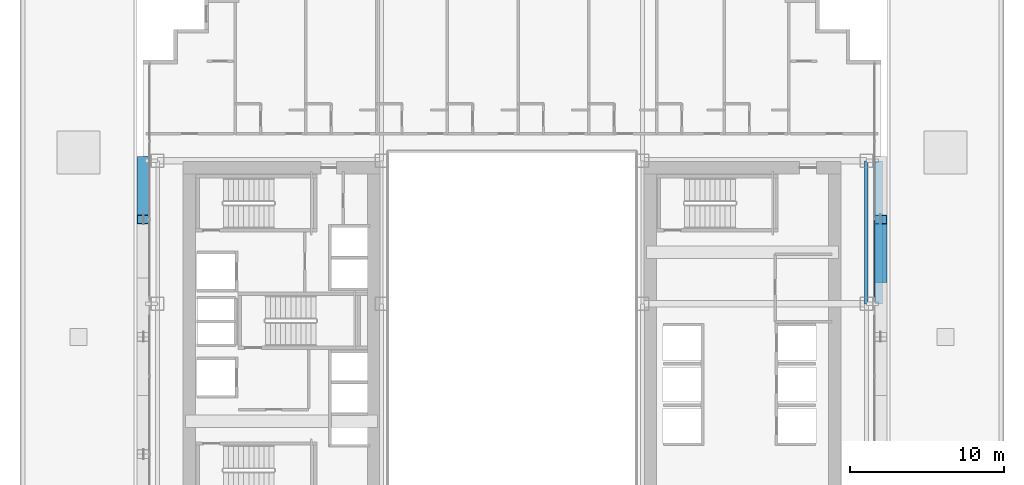
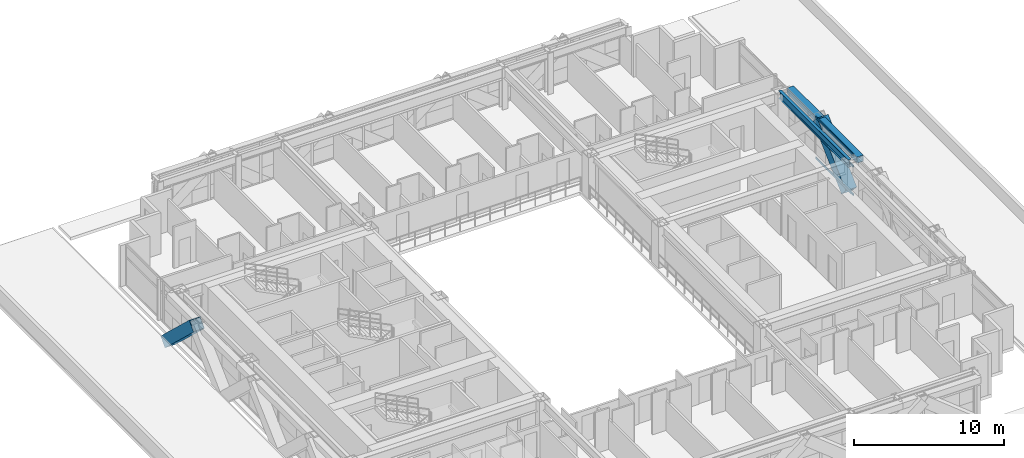
# One storey, part 14 of 35: 5 members, 2 beams, 1 element without a shape of its own.
"""IFC4 building model written with IfcOpenShell, lengths in metres."""

from ifc_helpers import new_model, si_unit, direction, frame, origin, origin_2d, place, context, subcontext, project, spatial, hollow_rectangle, i_section, extrude, source, transform, mapped, material, layer, layer_set, material_profile, profile_set, type_object, element, aggregate, save


model = new_model("IFC4")

# Units and contexts
model_context = context("Model", 3, precision=1e-05, world=origin(), true_north=direction((0.0, 1.0)))
body_context = subcontext(model_context, "Body", "Model", "MODEL_VIEW")
ifc_project = project(units=[si_unit("LENGTHUNIT", "METRE"), si_unit("AREAUNIT", "SQUARE_METRE"), si_unit("VOLUMEUNIT", "CUBIC_METRE"), si_unit("PLANEANGLEUNIT", "RADIAN"), si_unit("MASSUNIT", "GRAM", prefix="KILO")], contexts=[model_context])

# Site, building, storey
site_placement = place(None, origin())
site = spatial("IfcSite", under=ifc_project, at=site_placement, CompositionType="ELEMENT")
building_placement = place(site_placement, origin())
building = spatial("IfcBuilding", under=site, at=building_placement, Name="Ocotamira Hotel", CompositionType="ELEMENT")
storey_placement = place(building_placement, frame((0.0, 0.0, 34.800048828125)))
storey = spatial("IfcBuildingStorey", under=building, at=storey_placement, Name="L07", CompositionType="ELEMENT", Elevation=34.800048828125)

# Beams
ifc_material_1 = material(Name="Steel ASTM A992 Grade 50", Category="steel")
ifc_material_profile_1 = material_profile(ifc_material_1, i_section(OverallWidth=0.22998046875, OverallDepth=0.616943359375, WebThickness=0.01318359375, FlangeThickness=0.022216796875, FilletRadius=0.012939453125, at=origin_2d()), Name="W24X94")
ifc_profile_set_1 = profile_set([ifc_material_profile_1], Name="Steel ASTM A992 Grade 50")
beam_type_1 = type_object("IfcBeamType", Name="BM-PRIM-W24X94", PredefinedType="BEAM", material=ifc_profile_set_1)
shared_shape_1 = source(origin(), body_context, "Body", "SweptSolid", [
    extrude(i_section(OverallWidth=0.22998046875, OverallDepth=0.616943359375, WebThickness=0.01318359375, FlangeThickness=0.022216796875, FilletRadius=0.012939453125, at=origin_2d()), origin(), (0.0, 0.0, 1.0), 9.300048828125),
])
beam_1_placement = place(storey_placement, frame((55.050048828125, 28.14990234375, 3.04150390625), z_axis=(0.0, 1.0, 0.0), x_axis=(-1.0, 0.0, 0.0)))
element("IfcBeam", 1, at=beam_1_placement, inside=storey, type_object=beam_type_1, Name="L07 Beam X55.05 Y28.15-37.45", PredefinedType="BEAM", context=body_context, shape_type="MappedRepresentation", body=[
    mapped(shared_shape_1, transform((0.0, 0.0, 0.0), scale=1.0)),
])
ifc_material_2 = material(Name="Steel ASTM A500 Grade C", Category="steel")
ifc_material_profile_2 = material_profile(ifc_material_2, hollow_rectangle(XDim=0.5, YDim=0.5, WallThickness=0.02001953125, at=origin_2d()), Name="HSS500X500X20")
ifc_profile_set_2 = profile_set([ifc_material_profile_2], Name="Steel ASTM A500 Grade C")
beam_type_2 = type_object("IfcBeamType", Name="BM-SPAN-HSS500", PredefinedType="USERDEFINED", material=ifc_profile_set_2)
shared_shape_2 = source(origin(), body_context, "Body", "SweptSolid", [
    extrude(hollow_rectangle(XDim=0.5, YDim=0.5, WallThickness=0.02001953125, at=origin_2d()), origin(), (0.0, 0.0, 1.0), 9.300048828125),
])
beam_2_placement = place(storey_placement, frame((55.85009765625, 28.14990234375, 3.099853515625), z_axis=(0.0, 1.0, 0.0), x_axis=(-1.0, 0.0, 0.0)))
element("IfcBeam", 2, at=beam_2_placement, inside=storey, type_object=beam_type_2, Name="L07 Edge Spandrel E Y28.15-37.45", ObjectType="SPANDREL", PredefinedType="USERDEFINED", context=body_context, shape_type="MappedRepresentation", body=[
    mapped(shared_shape_2, transform((0.0, 0.0, 0.0), scale=1.0)),
])

# Members
ifc_material_3 = material(Name="Pale-metal coated steel ASTM A913 Grade 65", Category="steel")
ifc_material_profile_3 = material_profile(ifc_material_3, hollow_rectangle(XDim=0.85009765625, YDim=0.85009765625, WallThickness=0.035888671875, at=origin_2d()), Name="BOX850X850X36")
ifc_profile_set_3 = profile_set([ifc_material_profile_3], Name="Pale-metal coated steel ASTM A913 Grade 65")
member_type_1 = type_object("IfcMemberType", Name="MEM-EXO-BOX850", PredefinedType="BRACE", material=ifc_profile_set_3)
shared_shape_3 = source(origin(), body_context, "Body", "SweptSolid", [
    extrude(hollow_rectangle(XDim=0.85009765625, YDim=0.85009765625, WallThickness=0.035888671875, at=origin_2d()), origin(), (0.0, 0.0, 1.0), 5.24658203125),
])
for number, where, z_axis, x_axis, name in (
    (3, (8.030029296875, 37.449951171875, -0.5), (0.0, -0.72746596067, 0.686143772154), (1.0, 0.0, 0.0), "L07 Exoskeleton Diagrid W2.2"),
    (4, (55.969970703125, 29.816650390625, -0.5), (0.0, 0.72746596067, 0.686143772154), (-1.0, 0.0, 0.0), "L07 Exoskeleton Diagrid E2.1"),
):
    element("IfcMember", number, at=place(storey_placement, frame(where, z_axis=z_axis, x_axis=x_axis)), inside=storey, type_object=member_type_1, Name=name, PredefinedType="BRACE", context=body_context, shape_type="MappedRepresentation", body=[
        mapped(shared_shape_3, transform((0.0, 0.0, 0.0), scale=1.0)),
    ])

# Curtain wall, members
ifc_material_4 = material(Name="Anodised pale-metal aluminium and solar glass", Category="aluminium")
ifc_layer = layer(ifc_material_4, 0.179931640625)
ifc_layer_set = layer_set([ifc_layer], Name="Anodised pale-metal aluminium and solar glass")
curtain_wall_type = type_object("IfcCurtainWallType", Name="CW-SYS2-Z1", PredefinedType="NOTDEFINED", material=ifc_layer_set)
curtain_wall_placement = place(storey_placement, origin())
curtain_wall = element("IfcCurtainWall", 5, at=curtain_wall_placement, inside=storey, type_object=curtain_wall_type, Name="L07 Curtain Wall CW-2 CW-L07-E", PredefinedType="NOTDEFINED")
ifc_material_5 = material(Name="Anodised pale-metal aluminium 6063-T6", Category="aluminium")
ifc_material_profile_4 = material_profile(ifc_material_5, hollow_rectangle(XDim=0.074951171875, YDim=0.14990234375, WallThickness=0.006103515625, at=origin_2d()), Name="HSS150X75X6")
ifc_profile_set_4 = profile_set([ifc_material_profile_4], Name="Anodised pale-metal aluminium 6063-T6")
member_type_2 = type_object("IfcMemberType", Name="CWT-150X75", PredefinedType="USERDEFINED", material=ifc_profile_set_4)
shared_shape_4 = source(origin(), body_context, "Body", "SweptSolid", [
    extrude(hollow_rectangle(XDim=0.074951171875, YDim=0.14990234375, WallThickness=0.006103515625, at=origin_2d()), origin(), (0.0, 0.0, 1.0), 5.005859375),
])
member_1_placement = place(storey_placement, frame((55.580078125, 28.582763671875, 0.037353515625), z_axis=(0.0, 1.0, 0.0), x_axis=(-1.0, 0.0, 0.0)))
member_1 = element("IfcMember", 6, at=member_1_placement, type_object=member_type_2, Name="CW-2 transom 5.1", ObjectType="TRANSOM", PredefinedType="USERDEFINED", context=body_context, shape_type="MappedRepresentation", body=[
    mapped(shared_shape_4, transform((0.0, 0.0, 0.0), scale=1.0)),
])
member_2_placement = place(storey_placement, frame((55.580078125, 28.582763671875, 2.349853515625), z_axis=(0.0, 1.0, 0.0), x_axis=(-1.0, 0.0, 0.0)))
member_2 = element("IfcMember", 7, at=member_2_placement, type_object=member_type_2, Name="CW-2 transom 5.2", ObjectType="TRANSOM", PredefinedType="USERDEFINED", context=body_context, shape_type="MappedRepresentation", body=[
    mapped(shared_shape_4, transform((0.0, 0.0, 0.0), scale=1.0)),
])
member_3_placement = place(storey_placement, frame((55.580078125, 28.582763671875, 3.3125), z_axis=(0.0, 1.0, 0.0), x_axis=(-1.0, 0.0, 0.0)))
member_3 = element("IfcMember", 8, at=member_3_placement, type_object=member_type_2, Name="CW-2 transom 5.3", ObjectType="TRANSOM", PredefinedType="USERDEFINED", context=body_context, shape_type="MappedRepresentation", body=[
    mapped(shared_shape_4, transform((0.0, 0.0, 0.0), scale=1.0)),
])
aggregate(curtain_wall, [member_1, member_2, member_3])

save(model, "model.ifc")
